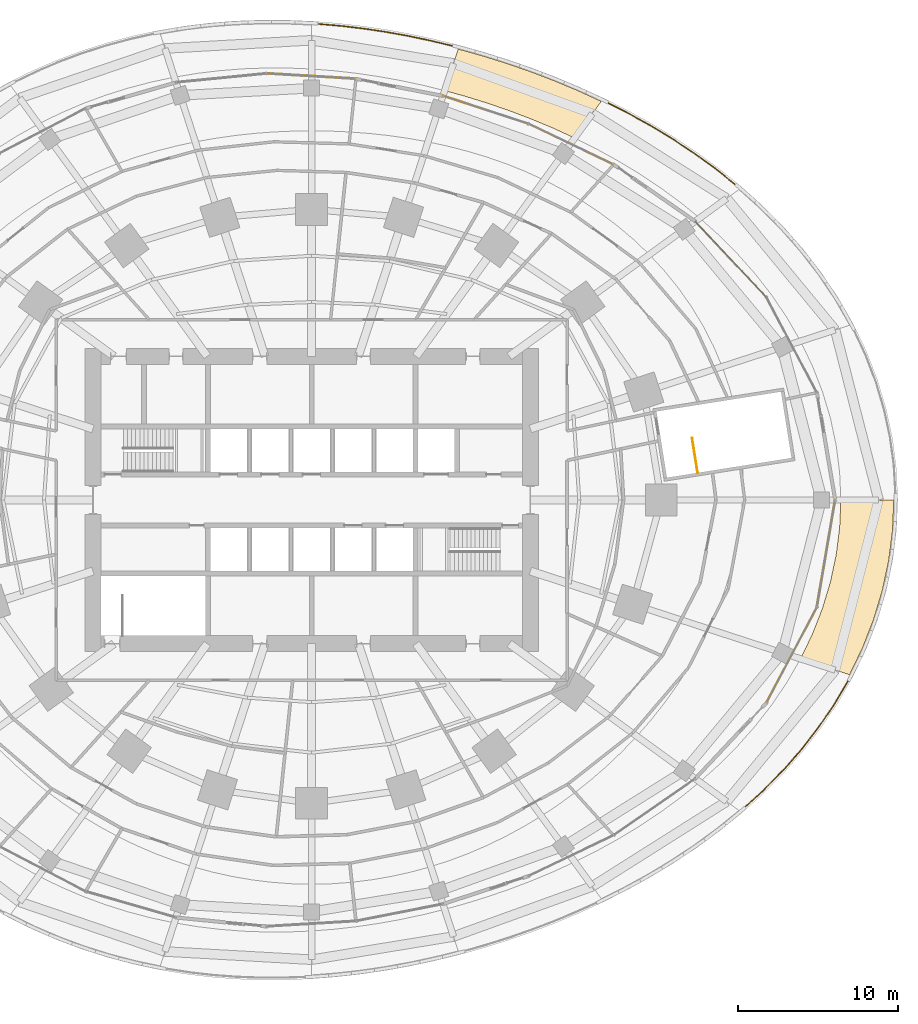
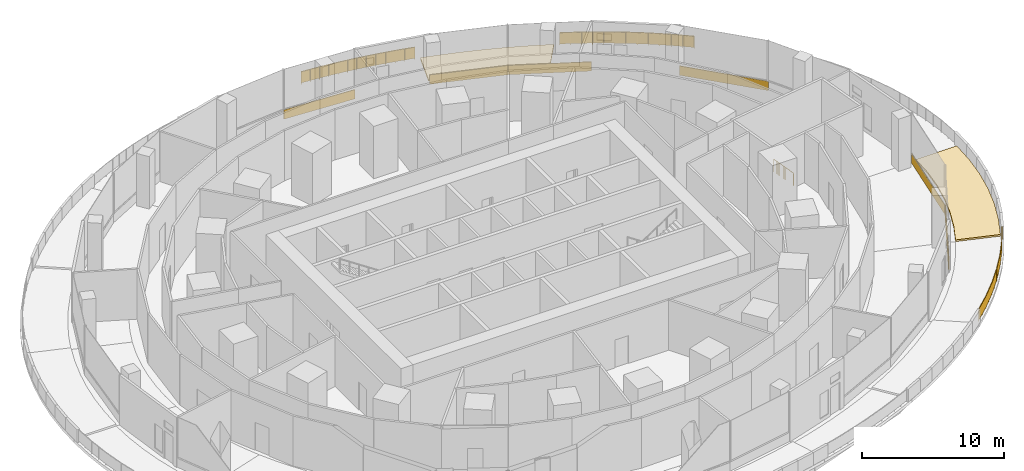
# One storey, part 25 of 26: 8 coverings, 4 railings.
"""IFC4 building model written with IfcOpenShell, lengths in metres."""

from ifc_helpers import new_model, si_unit, direction, frame, origin, origin_2d, place, context, subcontext, project, spatial, polyline, rectangle, circle, outline, extrude, material, layer, layer_set, type_object, element, save


model = new_model("IFC4")

# Units and contexts
model_context = context("Model", 3, precision=1e-05, world=origin(), true_north=direction((0.0, 1.0)))
body_context = subcontext(model_context, "Body", "Model", "MODEL_VIEW")
ifc_project = project(units=[si_unit("LENGTHUNIT", "METRE"), si_unit("AREAUNIT", "SQUARE_METRE"), si_unit("VOLUMEUNIT", "CUBIC_METRE"), si_unit("PLANEANGLEUNIT", "RADIAN"), si_unit("MASSUNIT", "GRAM", prefix="KILO")], contexts=[model_context])

# Site, building, storey
site_placement = place(None, origin())
site = spatial("IfcSite", under=ifc_project, at=site_placement, CompositionType="ELEMENT")
building_placement = place(site_placement, origin())
building = spatial("IfcBuilding", under=site, at=building_placement, Name="Marramba Exchange Tower", CompositionType="ELEMENT")
storey_placement = place(building_placement, frame((0.0, 0.0, 15.10009765625)))
storey = spatial("IfcBuildingStorey", under=building, at=storey_placement, Name="L03", CompositionType="ELEMENT", Elevation=15.10009765625)

# Coverings
ifc_material_1 = material(Name="Extensive green roof: growing medium on drainage cell, filter fabric and root-barrier membrane")
ifc_layer_1 = layer(ifc_material_1, 0.14990234375)
ifc_layer_set_1 = layer_set([ifc_layer_1], Name="Planted roof build-up 150")
covering_type_1 = type_object("IfcCoveringType", Name="Planted roof build-up 150", PredefinedType="ROOFING", material=ifc_layer_set_1)
covering_1_placement = place(storey_placement, origin())
element("IfcCovering", 1, at=covering_1_placement, inside=storey, type_object=covering_type_1, Name="Planted roof build-up L03 bay 04", PredefinedType="ROOFING", context=body_context, shape_type="SweptSolid", body=[
    extrude(outline(polyline([(16.47509765625, 22.676025390625), (15.126708984375, 23.29296875), (13.774169921875, 23.857666015625), (12.418701171875, 24.373046875), (11.06005859375, 24.841552734375), (9.698486328125, 25.26513671875), (8.332763671875, 25.645263671875), (9.17919921875, 28.2509765625), (9.17919921875, 28.2509765625), (10.683349609375, 27.8310546875), (12.182861328125, 27.363037109375), (13.678466796875, 26.845703125), (15.1708984375, 26.276611328125), (16.659423828125, 25.6533203125), (18.1435546875, 24.972412109375), (16.47509765625, 22.676025390625)])), origin(), (0.0, 0.0, 1.0), 0.14990234375),
])
covering_2_placement = place(storey_placement, origin())
element("IfcCovering", 2, at=covering_2_placement, inside=storey, type_object=covering_type_1, Name="Planted roof build-up L03 bay 20", PredefinedType="ROOFING", context=body_context, shape_type="SweptSolid", body=[
    extrude(outline(polyline([(30.623291015625, -9.9501953125), (31.368408203125, -8.405029296875), (31.9951171875, -6.80078125), (32.493896484375, -5.146484375), (32.856201171875, -3.453369140625), (33.076171875, -1.7333984375), (33.14990234375, 0.0), (36.469970703125, 0.0), (36.38916015625, -1.906982421875), (36.147705078125, -3.79931640625), (35.750244140625, -5.662353515625), (35.203125, -7.482666015625), (34.51513671875, -9.248291015625), (33.697265625, -10.948974609375), (30.623291015625, -9.9501953125)])), origin(), (0.0, 0.0, 1.0), 0.14990234375),
])
ifc_material_2 = material(Name="Aluminium spandrel panel, bronze anodised, insulated", Category="aluminium")
ifc_layer_2 = layer(ifc_material_2, 0.050048828125)
ifc_layer_set_2 = layer_set([ifc_layer_2], Name="Spandrel panel 800")
covering_type_2 = type_object("IfcCoveringType", Name="Spandrel panel 800", PredefinedType="CLADDING", material=ifc_layer_set_2)
covering_3_placement = place(storey_placement, frame((26.266357421875, 15.074462890625, 0.0), z_axis=(0.0, 0.0, 1.0), x_axis=(-0.684146740238, 0.729344389038, 0.0)))
element("IfcCovering", 3, at=covering_3_placement, inside=storey, type_object=covering_type_2, Name="Spandrel panel SP1 L03 F03", PredefinedType="CLADDING", context=body_context, shape_type="SweptSolid", body=[
    extrude(rectangle(XDim=6.5380859375, YDim=0.050048828125, at=origin_2d()), origin(), (0.0, 0.0, 1.0), 0.800048828125),
])
covering_4_placement = place(storey_placement, frame((16.258544921875, 22.282470703125, 0.0), z_axis=(0.0, 0.0, 1.0), x_axis=(-0.902119809396, 0.431485630695, 0.0)))
element("IfcCovering", 4, at=covering_4_placement, inside=storey, type_object=covering_type_2, Name="Spandrel panel SP1 L03 F05", PredefinedType="CLADDING", context=body_context, shape_type="SweptSolid", body=[
    extrude(rectangle(XDim=5.895751953125, YDim=0.050048828125, at=origin_2d()), origin(), (0.0, 0.0, 1.0), 0.800048828125),
])
covering_5_placement = place(storey_placement, frame((10.911865234375, 24.433349609375, 0.0), z_axis=(0.0, 0.0, 1.0), x_axis=(-0.950455124475, 0.310861796237, 0.0)))
element("IfcCovering", 5, at=covering_5_placement, inside=storey, type_object=covering_type_2, Name="Spandrel panel SP1 L03 F06", PredefinedType="CLADDING", context=body_context, shape_type="SweptSolid", body=[
    extrude(rectangle(XDim=5.65478515625, YDim=0.050048828125, at=origin_2d()), origin(), (0.0, 0.0, 1.0), 0.800048828125),
])
covering_6_placement = place(storey_placement, frame((-0.017578125, 26.549560546875, 0.0), z_axis=(0.0, 0.0, 1.0), x_axis=(-0.998230234091, 0.059467636125, 0.0)))
element("IfcCovering", 6, at=covering_6_placement, inside=storey, type_object=covering_type_2, Name="Spandrel panel SP1 L03 F08", PredefinedType="CLADDING", context=body_context, shape_type="SweptSolid", body=[
    extrude(rectangle(XDim=5.5908203125, YDim=0.050048828125, at=origin_2d()), origin(), (0.0, 0.0, 1.0), 0.800048828125),
])
covering_7_placement = place(storey_placement, frame((30.077880859375, -9.709228515625, 0.0), z_axis=(0.0, 0.0, 1.0), x_axis=(0.467131013616, 0.884188111274, 0.0)))
element("IfcCovering", 7, at=covering_7_placement, inside=storey, type_object=covering_type_2, Name="Spandrel panel SP1 L03 F29", PredefinedType="CLADDING", context=body_context, shape_type="SweptSolid", body=[
    extrude(rectangle(XDim=6.7431640625, YDim=0.050048828125, at=origin_2d()), origin(), (0.0, 0.0, 1.0), 0.800048828125),
])
covering_8_placement = place(storey_placement, frame((32.226318359375, -3.364013671875, 0.0), z_axis=(0.0, 0.0, 1.0), x_axis=(0.168073893541, 0.985774399297, 0.0)))
element("IfcCovering", 8, at=covering_8_placement, inside=storey, type_object=covering_type_2, Name="Spandrel panel SP1 L03 F30", PredefinedType="CLADDING", context=body_context, shape_type="SweptSolid", body=[
    extrude(rectangle(XDim=6.8251953125, YDim=0.050048828125, at=origin_2d()), origin(), (0.0, 0.0, 1.0), 0.800048828125),
])

# Railings
ifc_material_3 = material(Name="Stainless steel guard", Category="steel")
railing_type_1 = type_object("IfcRailingType", Name="Stair well guard 1100", PredefinedType="GUARDRAIL", material=ifc_material_3)
railing_1_placement = place(storey_placement, frame((24.18115234375, 1.703857421875, 0.0)))
element("IfcRailing", 9, at=railing_1_placement, inside=storey, type_object=railing_type_1, Name="Stair well guard GR2 ST4 L03", PredefinedType="GUARDRAIL", context=body_context, shape_type="SweptSolid", body=[
    extrude(circle(Radius=0.02392578125, at=origin_2d()), frame((0.0, 0.0, 1.076171875), z_axis=(-0.156475439167, 0.98768185006, 0.0), x_axis=(-0.98768185006, -0.156475439167, 0.0)), (0.0, 0.0, 1.0), 2.199951171875),
    extrude(circle(Radius=0.02099609375, at=origin_2d()), origin(), (0.0, 0.0, 1.0), 1.052001953125),
    extrude(circle(Radius=0.02099609375, at=origin_2d()), frame((-0.172119140625, 1.08642578125, 0.0)), (0.0, 0.0, 1.0), 1.052001953125),
    extrude(circle(Radius=0.02099609375, at=origin_2d()), frame((-0.34423828125, 2.1728515625, 0.0)), (0.0, 0.0, 1.0), 1.052001953125),
    extrude(circle(Radius=0.006103515625, at=origin_2d()), frame((-0.01904296875, 0.12060546875, 0.0)), (0.0, 0.0, 1.0), 1.052001953125),
    extrude(circle(Radius=0.006103515625, at=origin_2d()), frame((-0.035888671875, 0.22607421875, 0.0)), (0.0, 0.0, 1.0), 1.052001953125),
    extrude(circle(Radius=0.006103515625, at=origin_2d()), frame((-0.052490234375, 0.331787109375, 0.0)), (0.0, 0.0, 1.0), 1.052001953125),
    extrude(circle(Radius=0.006103515625, at=origin_2d()), frame((-0.0693359375, 0.4375, 0.0)), (0.0, 0.0, 1.0), 1.052001953125),
    extrude(circle(Radius=0.006103515625, at=origin_2d()), frame((-0.0859375, 0.543212890625, 0.0)), (0.0, 0.0, 1.0), 1.052001953125),
    extrude(circle(Radius=0.006103515625, at=origin_2d()), frame((-0.102783203125, 0.64892578125, 0.0)), (0.0, 0.0, 1.0), 1.052001953125),
    extrude(circle(Radius=0.006103515625, at=origin_2d()), frame((-0.11962890625, 0.754638671875, 0.0)), (0.0, 0.0, 1.0), 1.052001953125),
    extrude(circle(Radius=0.006103515625, at=origin_2d()), frame((-0.13623046875, 0.8603515625, 0.0)), (0.0, 0.0, 1.0), 1.052001953125),
    extrude(circle(Radius=0.006103515625, at=origin_2d()), frame((-0.153076171875, 0.9658203125, 0.0)), (0.0, 0.0, 1.0), 1.052001953125),
    extrude(circle(Radius=0.006103515625, at=origin_2d()), frame((-0.191162109375, 1.20703125, 0.0)), (0.0, 0.0, 1.0), 1.052001953125),
    extrude(circle(Radius=0.006103515625, at=origin_2d()), frame((-0.2080078125, 1.3125, 0.0)), (0.0, 0.0, 1.0), 1.052001953125),
    extrude(circle(Radius=0.006103515625, at=origin_2d()), frame((-0.224609375, 1.418212890625, 0.0)), (0.0, 0.0, 1.0), 1.052001953125),
    extrude(circle(Radius=0.006103515625, at=origin_2d()), frame((-0.241455078125, 1.52392578125, 0.0)), (0.0, 0.0, 1.0), 1.052001953125),
    extrude(circle(Radius=0.006103515625, at=origin_2d()), frame((-0.25830078125, 1.629638671875, 0.0)), (0.0, 0.0, 1.0), 1.052001953125),
    extrude(circle(Radius=0.006103515625, at=origin_2d()), frame((-0.27490234375, 1.7353515625, 0.0)), (0.0, 0.0, 1.0), 1.052001953125),
    extrude(circle(Radius=0.006103515625, at=origin_2d()), frame((-0.291748046875, 1.841064453125, 0.0)), (0.0, 0.0, 1.0), 1.052001953125),
    extrude(circle(Radius=0.006103515625, at=origin_2d()), frame((-0.308349609375, 1.94677734375, 0.0)), (0.0, 0.0, 1.0), 1.052001953125),
    extrude(circle(Radius=0.006103515625, at=origin_2d()), frame((-0.3251953125, 2.05224609375, 0.0)), (0.0, 0.0, 1.0), 1.052001953125),
])
ifc_material_4 = material(Name="Bronze anodised aluminium and laminated glass guard", Category="aluminium")
railing_type_2 = type_object("IfcRailingType", Name="Terrace guard 1100", PredefinedType="GUARDRAIL", material=ifc_material_4)
railing_2_placement = place(storey_placement, frame((26.533447265625, 19.7685546875, 0.0)))
element("IfcRailing", 10, at=railing_2_placement, inside=storey, type_object=railing_type_2, Name="Terrace guard GR1 L03 bay 03", PredefinedType="GUARDRAIL", context=body_context, shape_type="SweptSolid", body=[
    extrude(circle(Radius=0.02392578125, at=origin_2d()), frame((0.0, 0.0, 1.076171875), z_axis=(-0.782778379076, 0.622300577897, 0.0), x_axis=(-0.622300577897, -0.782778379076, 0.0)), (0.0, 0.0, 1.0), 1.630859375),
    extrude(circle(Radius=0.02392578125, at=origin_2d()), frame((-1.276611328125, 1.014892578125, 1.076171875), z_axis=(-0.809803067181, 0.586701791701, 0.0), x_axis=(-0.586701791701, -0.809803067181, 0.0)), (0.0, 0.0, 1.0), 1.61083984375),
    extrude(circle(Radius=0.02392578125, at=origin_2d()), frame((-2.5810546875, 1.9599609375, 1.076171875), z_axis=(-0.833581968191, 0.552395784113, 0.0), x_axis=(-0.552395784113, -0.833581968191, 0.0)), (0.0, 0.0, 1.0), 1.590576171875),
    extrude(circle(Radius=0.02392578125, at=origin_2d()), frame((-3.906982421875, 2.838623046875, 1.076171875), z_axis=(-0.854723469876, 0.519083606024, 0.0), x_axis=(-0.519083606024, -0.854723469876, 0.0)), (0.0, 0.0, 1.0), 1.5703125),
    extrude(circle(Radius=0.02392578125, at=origin_2d()), frame((-5.249267578125, 3.65380859375, 1.076171875), z_axis=(-0.873435986198, 0.486938987979, 0.0), x_axis=(-0.486938987979, -0.873435986198, 0.0)), (0.0, 0.0, 1.0), 1.55078125),
    extrude(circle(Radius=0.02392578125, at=origin_2d()), frame((-6.603759765625, 4.408935546875, 1.076171875), z_axis=(-0.889853973528, 0.456245444686, 0.0), x_axis=(-0.456245444686, -0.889853973528, 0.0)), (0.0, 0.0, 1.0), 1.531494140625),
    extrude(circle(Radius=0.02099609375, at=origin_2d()), origin(), (0.0, 0.0, 1.0), 1.052001953125),
    extrude(circle(Radius=0.02099609375, at=origin_2d()), frame((-0.63818359375, 0.50732421875, 0.0)), (0.0, 0.0, 1.0), 1.052001953125),
    extrude(circle(Radius=0.02099609375, at=origin_2d()), frame((-1.276611328125, 1.014892578125, 0.0)), (0.0, 0.0, 1.0), 1.052001953125),
    extrude(circle(Radius=0.02099609375, at=origin_2d()), frame((-1.9287109375, 1.4873046875, 0.0)), (0.0, 0.0, 1.0), 1.052001953125),
    extrude(circle(Radius=0.02099609375, at=origin_2d()), frame((-2.5810546875, 1.9599609375, 0.0)), (0.0, 0.0, 1.0), 1.052001953125),
    extrude(circle(Radius=0.02099609375, at=origin_2d()), frame((-3.244140625, 2.3994140625, 0.0)), (0.0, 0.0, 1.0), 1.052001953125),
    extrude(circle(Radius=0.02099609375, at=origin_2d()), frame((-3.906982421875, 2.838623046875, 0.0)), (0.0, 0.0, 1.0), 1.052001953125),
    extrude(circle(Radius=0.02099609375, at=origin_2d()), frame((-4.578125, 3.24609375, 0.0)), (0.0, 0.0, 1.0), 1.052001953125),
    extrude(circle(Radius=0.02099609375, at=origin_2d()), frame((-5.249267578125, 3.65380859375, 0.0)), (0.0, 0.0, 1.0), 1.052001953125),
    extrude(circle(Radius=0.02099609375, at=origin_2d()), frame((-5.926513671875, 4.03125, 0.0)), (0.0, 0.0, 1.0), 1.052001953125),
    extrude(circle(Radius=0.02099609375, at=origin_2d()), frame((-6.603759765625, 4.408935546875, 0.0)), (0.0, 0.0, 1.0), 1.052001953125),
    extrude(circle(Radius=0.02099609375, at=origin_2d()), frame((-7.28515625, 4.75830078125, 0.0)), (0.0, 0.0, 1.0), 1.052001953125),
    extrude(circle(Radius=0.02099609375, at=origin_2d()), frame((-7.966552734375, 5.107666015625, 0.0)), (0.0, 0.0, 1.0), 1.052001953125),
    extrude(rectangle(XDim=0.79736328125, YDim=0.02001953125, at=origin_2d()), frame((-0.319091796875, 0.253662109375, 0.10009765625), z_axis=(0.0, 0.0, 1.0), x_axis=(-0.782778379076, 0.622300577897, 0.0)), (0.0, 0.0, 1.0), 0.951904296875),
    extrude(rectangle(XDim=0.79736328125, YDim=0.02001953125, at=origin_2d()), frame((-0.95751953125, 0.76123046875, 0.10009765625), z_axis=(0.0, 0.0, 1.0), x_axis=(-0.782778379076, 0.622300577897, 0.0)), (0.0, 0.0, 1.0), 0.951904296875),
    extrude(rectangle(XDim=0.787353515625, YDim=0.02001953125, at=origin_2d()), frame((-1.602783203125, 1.251220703125, 0.10009765625), z_axis=(0.0, 0.0, 1.0), x_axis=(-0.809803067181, 0.586701791701, 0.0)), (0.0, 0.0, 1.0), 0.951904296875),
    extrude(rectangle(XDim=0.787353515625, YDim=0.02001953125, at=origin_2d()), frame((-2.2548828125, 1.7236328125, 0.10009765625), z_axis=(0.0, 0.0, 1.0), x_axis=(-0.809803067181, 0.586701791701, 0.0)), (0.0, 0.0, 1.0), 0.951904296875),
    extrude(rectangle(XDim=0.77734375, YDim=0.02001953125, at=origin_2d()), frame((-2.91259765625, 2.1796875, 0.10009765625), z_axis=(0.0, 0.0, 1.0), x_axis=(-0.833581968191, 0.552395784113, 0.0)), (0.0, 0.0, 1.0), 0.951904296875),
    extrude(rectangle(XDim=0.77734375, YDim=0.02001953125, at=origin_2d()), frame((-3.575439453125, 2.618896484375, 0.10009765625), z_axis=(0.0, 0.0, 1.0), x_axis=(-0.833581968191, 0.552395784113, 0.0)), (0.0, 0.0, 1.0), 0.951904296875),
    extrude(rectangle(XDim=0.767333984375, YDim=0.02001953125, at=origin_2d()), frame((-4.24267578125, 3.04248046875, 0.10009765625), z_axis=(0.0, 0.0, 1.0), x_axis=(-0.854723469876, 0.519083606024, 0.0)), (0.0, 0.0, 1.0), 0.951904296875),
    extrude(rectangle(XDim=0.767333984375, YDim=0.02001953125, at=origin_2d()), frame((-4.91357421875, 3.449951171875, 0.10009765625), z_axis=(0.0, 0.0, 1.0), x_axis=(-0.854723469876, 0.519083606024, 0.0)), (0.0, 0.0, 1.0), 0.951904296875),
    extrude(rectangle(XDim=0.75732421875, YDim=0.02001953125, at=origin_2d()), frame((-5.587890625, 3.842529296875, 0.10009765625), z_axis=(0.0, 0.0, 1.0), x_axis=(-0.873435986198, 0.486938987979, 0.0)), (0.0, 0.0, 1.0), 0.951904296875),
    extrude(rectangle(XDim=0.75732421875, YDim=0.02001953125, at=origin_2d()), frame((-6.26513671875, 4.22021484375, 0.10009765625), z_axis=(0.0, 0.0, 1.0), x_axis=(-0.873435986198, 0.486938987979, 0.0)), (0.0, 0.0, 1.0), 0.951904296875),
    extrude(rectangle(XDim=0.747802734375, YDim=0.02001953125, at=origin_2d()), frame((-6.9443359375, 4.58349609375, 0.10009765625), z_axis=(0.0, 0.0, 1.0), x_axis=(-0.889853973528, 0.456245444686, 0.0)), (0.0, 0.0, 1.0), 0.951904296875),
    extrude(rectangle(XDim=0.747802734375, YDim=0.02001953125, at=origin_2d()), frame((-7.6259765625, 4.93310546875, 0.10009765625), z_axis=(0.0, 0.0, 1.0), x_axis=(-0.889853973528, 0.456245444686, 0.0)), (0.0, 0.0, 1.0), 0.951904296875),
])
railing_3_placement = place(storey_placement, frame((8.824462890625, 28.446044921875, 0.0)))
element("IfcRailing", 11, at=railing_3_placement, inside=storey, type_object=railing_type_2, Name="Terrace guard GR1 L03 bay 05", PredefinedType="GUARDRAIL", context=body_context, shape_type="SweptSolid", body=[
    extrude(circle(Radius=0.02392578125, at=origin_2d()), frame((0.0, 0.0, 1.076171875), z_axis=(-0.972413704548, 0.233262914343, 0.0), x_axis=(-0.233262914343, -0.972413704548, 0.0)), (0.0, 0.0, 1.0), 1.426513671875),
    extrude(circle(Radius=0.02392578125, at=origin_2d()), frame((-1.38720703125, 0.332763671875, 1.076171875), z_axis=(-0.978600696873, 0.205768501182, 0.0), x_axis=(-0.205768501182, -0.978600696873, 0.0)), (0.0, 0.0, 1.0), 1.423828125),
    extrude(circle(Radius=0.02392578125, at=origin_2d()), frame((-2.780517578125, 0.625732421875, 1.076171875), z_axis=(-0.98415697928, 0.17729929536, 0.0), x_axis=(-0.17729929536, -0.98415697928, 0.0)), (0.0, 0.0, 1.0), 1.42236328125),
    extrude(circle(Radius=0.02392578125, at=origin_2d()), frame((-4.180419921875, 0.8779296875, 1.076171875), z_axis=(-0.989001701307, 0.147904140619, 0.0), x_axis=(-0.147904140619, -0.989001701307, 0.0)), (0.0, 0.0, 1.0), 1.4228515625),
    extrude(circle(Radius=0.02392578125, at=origin_2d()), frame((-5.587646484375, 1.08837890625, 1.076171875), z_axis=(-0.993093196073, 0.117328188912, 0.0), x_axis=(-0.117328188912, -0.993093196073, 0.0)), (0.0, 0.0, 1.0), 1.42529296875),
    extrude(circle(Radius=0.02392578125, at=origin_2d()), frame((-7.003173828125, 1.255615234375, 1.076171875), z_axis=(-0.996314593873, 0.085774297054, 0.0), x_axis=(-0.085774297054, -0.996314593873, 0.0)), (0.0, 0.0, 1.0), 1.428955078125),
    extrude(circle(Radius=0.02099609375, at=origin_2d()), origin(), (0.0, 0.0, 1.0), 1.052001953125),
    extrude(circle(Radius=0.02099609375, at=origin_2d()), frame((-0.693603515625, 0.16650390625, 0.0)), (0.0, 0.0, 1.0), 1.052001953125),
    extrude(circle(Radius=0.02099609375, at=origin_2d()), frame((-1.38720703125, 0.332763671875, 0.0)), (0.0, 0.0, 1.0), 1.052001953125),
    extrude(circle(Radius=0.02099609375, at=origin_2d()), frame((-2.083984375, 0.479248046875, 0.0)), (0.0, 0.0, 1.0), 1.052001953125),
    extrude(circle(Radius=0.02099609375, at=origin_2d()), frame((-2.780517578125, 0.625732421875, 0.0)), (0.0, 0.0, 1.0), 1.052001953125),
    extrude(circle(Radius=0.02099609375, at=origin_2d()), frame((-3.48046875, 0.751953125, 0.0)), (0.0, 0.0, 1.0), 1.052001953125),
    extrude(circle(Radius=0.02099609375, at=origin_2d()), frame((-4.180419921875, 0.8779296875, 0.0)), (0.0, 0.0, 1.0), 1.052001953125),
    extrude(circle(Radius=0.02099609375, at=origin_2d()), frame((-4.884033203125, 0.983154296875, 0.0)), (0.0, 0.0, 1.0), 1.052001953125),
    extrude(circle(Radius=0.02099609375, at=origin_2d()), frame((-5.587646484375, 1.08837890625, 0.0)), (0.0, 0.0, 1.0), 1.052001953125),
    extrude(circle(Radius=0.02099609375, at=origin_2d()), frame((-6.29541015625, 1.171875, 0.0)), (0.0, 0.0, 1.0), 1.052001953125),
    extrude(circle(Radius=0.02099609375, at=origin_2d()), frame((-7.003173828125, 1.255615234375, 0.0)), (0.0, 0.0, 1.0), 1.052001953125),
    extrude(circle(Radius=0.02099609375, at=origin_2d()), frame((-7.71484375, 1.31689453125, 0.0)), (0.0, 0.0, 1.0), 1.052001953125),
    extrude(circle(Radius=0.02099609375, at=origin_2d()), frame((-8.4267578125, 1.378173828125, 0.0)), (0.0, 0.0, 1.0), 1.052001953125),
    extrude(rectangle(XDim=0.6953125, YDim=0.02001953125, at=origin_2d()), frame((-0.3466796875, 0.083251953125, 0.10009765625), z_axis=(0.0, 0.0, 1.0), x_axis=(-0.972413704548, 0.233262914343, 0.0)), (0.0, 0.0, 1.0), 0.951904296875),
    extrude(rectangle(XDim=0.6953125, YDim=0.02001953125, at=origin_2d()), frame((-1.04052734375, 0.24951171875, 0.10009765625), z_axis=(0.0, 0.0, 1.0), x_axis=(-0.972413704548, 0.233262914343, 0.0)), (0.0, 0.0, 1.0), 0.951904296875),
    extrude(rectangle(XDim=0.69384765625, YDim=0.02001953125, at=origin_2d()), frame((-1.735595703125, 0.406005859375, 0.10009765625), z_axis=(0.0, 0.0, 1.0), x_axis=(-0.978600696873, 0.205768501182, 0.0)), (0.0, 0.0, 1.0), 0.951904296875),
    extrude(rectangle(XDim=0.69384765625, YDim=0.02001953125, at=origin_2d()), frame((-2.43212890625, 0.552490234375, 0.10009765625), z_axis=(0.0, 0.0, 1.0), x_axis=(-0.978600696873, 0.205768501182, 0.0)), (0.0, 0.0, 1.0), 0.951904296875),
    extrude(rectangle(XDim=0.693115234375, YDim=0.02001953125, at=origin_2d()), frame((-3.13037109375, 0.688720703125, 0.10009765625), z_axis=(0.0, 0.0, 1.0), x_axis=(-0.98415697928, 0.17729929536, 0.0)), (0.0, 0.0, 1.0), 0.951904296875),
    extrude(rectangle(XDim=0.693115234375, YDim=0.02001953125, at=origin_2d()), frame((-3.83056640625, 0.81494140625, 0.10009765625), z_axis=(0.0, 0.0, 1.0), x_axis=(-0.98415697928, 0.17729929536, 0.0)), (0.0, 0.0, 1.0), 0.951904296875),
    extrude(rectangle(XDim=0.693359375, YDim=0.02001953125, at=origin_2d()), frame((-4.5322265625, 0.9306640625, 0.10009765625), z_axis=(0.0, 0.0, 1.0), x_axis=(-0.989001701307, 0.147904140619, 0.0)), (0.0, 0.0, 1.0), 0.951904296875),
    extrude(rectangle(XDim=0.693359375, YDim=0.02001953125, at=origin_2d()), frame((-5.23583984375, 1.03564453125, 0.10009765625), z_axis=(0.0, 0.0, 1.0), x_axis=(-0.989001701307, 0.147904140619, 0.0)), (0.0, 0.0, 1.0), 0.951904296875),
    extrude(rectangle(XDim=0.694580078125, YDim=0.02001953125, at=origin_2d()), frame((-5.94140625, 1.130126953125, 0.10009765625), z_axis=(0.0, 0.0, 1.0), x_axis=(-0.993093196073, 0.117328188912, 0.0)), (0.0, 0.0, 1.0), 0.951904296875),
    extrude(rectangle(XDim=0.694580078125, YDim=0.02001953125, at=origin_2d()), frame((-6.6494140625, 1.2138671875, 0.10009765625), z_axis=(0.0, 0.0, 1.0), x_axis=(-0.993093196073, 0.117328188912, 0.0)), (0.0, 0.0, 1.0), 0.951904296875),
    extrude(rectangle(XDim=0.696533203125, YDim=0.02001953125, at=origin_2d()), frame((-7.359130859375, 1.2861328125, 0.10009765625), z_axis=(0.0, 0.0, 1.0), x_axis=(-0.996314593873, 0.085774297054, 0.0)), (0.0, 0.0, 1.0), 0.951904296875),
    extrude(rectangle(XDim=0.696533203125, YDim=0.02001953125, at=origin_2d()), frame((-8.07080078125, 1.34765625, 0.10009765625), z_axis=(0.0, 0.0, 1.0), x_axis=(-0.996314593873, 0.085774297054, 0.0)), (0.0, 0.0, 1.0), 0.951904296875),
])
railing_4_placement = place(storey_placement, frame((27.15625, -19.236572265625, 0.0)))
element("IfcRailing", 12, at=railing_4_placement, inside=storey, type_object=railing_type_2, Name="Terrace guard GR1 L03 bay 19", PredefinedType="GUARDRAIL", context=body_context, shape_type="SweptSolid", body=[
    extrude(circle(Radius=0.02392578125, at=origin_2d()), frame((0.0, 0.0, 1.076171875), z_axis=(0.735761864639, 0.677240340309, 0.0), x_axis=(-0.677240340309, 0.735761864639, 0.0)), (0.0, 0.0, 1.0), 1.668701171875),
    extrude(circle(Radius=0.02392578125, at=origin_2d()), frame((1.227783203125, 1.130126953125, 1.076171875), z_axis=(0.69931988333, 0.714808856114, 0.0), x_axis=(-0.714808856114, 0.69931988333, 0.0)), (0.0, 0.0, 1.0), 1.6865234375),
    extrude(circle(Radius=0.02392578125, at=origin_2d()), frame((2.4072265625, 2.335693359375, 1.076171875), z_axis=(0.65866700017, 0.752434570503, 0.0), x_axis=(-0.752434570503, 0.65866700017, 0.0)), (0.0, 0.0, 1.0), 1.702880859375),
    extrude(circle(Radius=0.02392578125, at=origin_2d()), frame((3.52880859375, 3.616943359375, 1.076171875), z_axis=(0.613625666153, 0.789597075627, 0.0), x_axis=(-0.789597075627, 0.613625666153, 0.0)), (0.0, 0.0, 1.0), 1.717529296875),
    extrude(circle(Radius=0.02392578125, at=origin_2d()), frame((4.582763671875, 4.97314453125, 1.076171875), z_axis=(0.563687031723, 0.825988456497, 0.0), x_axis=(-0.825988456497, 0.563687031723, 0.0)), (0.0, 0.0, 1.0), 1.730224609375),
    extrude(circle(Radius=0.02392578125, at=origin_2d()), frame((5.55810546875, 6.40234375, 1.076171875), z_axis=(0.509248840105, 0.860619322843, 0.0), x_axis=(-0.860619322843, 0.509248840105, 0.0)), (0.0, 0.0, 1.0), 1.7412109375),
    extrude(circle(Radius=0.02099609375, at=origin_2d()), origin(), (0.0, 0.0, 1.0), 1.052001953125),
    extrude(circle(Radius=0.02099609375, at=origin_2d()), frame((0.61376953125, 0.56494140625, 0.0)), (0.0, 0.0, 1.0), 1.052001953125),
    extrude(circle(Radius=0.02099609375, at=origin_2d()), frame((1.227783203125, 1.130126953125, 0.0)), (0.0, 0.0, 1.0), 1.052001953125),
    extrude(circle(Radius=0.02099609375, at=origin_2d()), frame((1.8173828125, 1.73291015625, 0.0)), (0.0, 0.0, 1.0), 1.052001953125),
    extrude(circle(Radius=0.02099609375, at=origin_2d()), frame((2.4072265625, 2.335693359375, 0.0)), (0.0, 0.0, 1.0), 1.052001953125),
    extrude(circle(Radius=0.02099609375, at=origin_2d()), frame((2.968017578125, 2.976318359375, 0.0)), (0.0, 0.0, 1.0), 1.052001953125),
    extrude(circle(Radius=0.02099609375, at=origin_2d()), frame((3.52880859375, 3.616943359375, 0.0)), (0.0, 0.0, 1.0), 1.052001953125),
    extrude(circle(Radius=0.02099609375, at=origin_2d()), frame((4.0556640625, 4.294921875, 0.0)), (0.0, 0.0, 1.0), 1.052001953125),
    extrude(circle(Radius=0.02099609375, at=origin_2d()), frame((4.582763671875, 4.97314453125, 0.0)), (0.0, 0.0, 1.0), 1.052001953125),
    extrude(circle(Radius=0.02099609375, at=origin_2d()), frame((5.0703125, 5.687744140625, 0.0)), (0.0, 0.0, 1.0), 1.052001953125),
    extrude(circle(Radius=0.02099609375, at=origin_2d()), frame((5.55810546875, 6.40234375, 0.0)), (0.0, 0.0, 1.0), 1.052001953125),
    extrude(circle(Radius=0.02099609375, at=origin_2d()), frame((6.00146484375, 7.151611328125, 0.0)), (0.0, 0.0, 1.0), 1.052001953125),
    extrude(circle(Radius=0.02099609375, at=origin_2d()), frame((6.44482421875, 7.90087890625, 0.0)), (0.0, 0.0, 1.0), 1.052001953125),
    extrude(rectangle(XDim=0.81640625, YDim=0.02001953125, at=origin_2d()), frame((0.306884765625, 0.282470703125, 0.10009765625), z_axis=(0.0, 0.0, 1.0), x_axis=(0.735761864639, 0.677240340309, 0.0)), (0.0, 0.0, 1.0), 0.951904296875),
    extrude(rectangle(XDim=0.81640625, YDim=0.02001953125, at=origin_2d()), frame((0.9208984375, 0.84765625, 0.10009765625), z_axis=(0.0, 0.0, 1.0), x_axis=(0.735761864639, 0.677240340309, 0.0)), (0.0, 0.0, 1.0), 0.951904296875),
    extrude(rectangle(XDim=0.8251953125, YDim=0.02001953125, at=origin_2d()), frame((1.522705078125, 1.431640625, 0.10009765625), z_axis=(0.0, 0.0, 1.0), x_axis=(0.69931988333, 0.714808856114, 0.0)), (0.0, 0.0, 1.0), 0.951904296875),
    extrude(rectangle(XDim=0.8251953125, YDim=0.02001953125, at=origin_2d()), frame((2.1123046875, 2.0341796875, 0.10009765625), z_axis=(0.0, 0.0, 1.0), x_axis=(0.69931988333, 0.714808856114, 0.0)), (0.0, 0.0, 1.0), 0.951904296875),
    extrude(rectangle(XDim=0.83349609375, YDim=0.02001953125, at=origin_2d()), frame((2.6875, 2.656005859375, 0.10009765625), z_axis=(0.0, 0.0, 1.0), x_axis=(0.65866700017, 0.752434570503, 0.0)), (0.0, 0.0, 1.0), 0.951904296875),
    extrude(rectangle(XDim=0.83349609375, YDim=0.02001953125, at=origin_2d()), frame((3.24853515625, 3.296630859375, 0.10009765625), z_axis=(0.0, 0.0, 1.0), x_axis=(0.65866700017, 0.752434570503, 0.0)), (0.0, 0.0, 1.0), 0.951904296875),
    extrude(rectangle(XDim=0.8408203125, YDim=0.02001953125, at=origin_2d()), frame((3.792236328125, 3.9560546875, 0.10009765625), z_axis=(0.0, 0.0, 1.0), x_axis=(0.613625666153, 0.789597075627, 0.0)), (0.0, 0.0, 1.0), 0.951904296875),
    extrude(rectangle(XDim=0.8408203125, YDim=0.02001953125, at=origin_2d()), frame((4.3193359375, 4.634033203125, 0.10009765625), z_axis=(0.0, 0.0, 1.0), x_axis=(0.613625666153, 0.789597075627, 0.0)), (0.0, 0.0, 1.0), 0.951904296875),
    extrude(rectangle(XDim=0.84716796875, YDim=0.02001953125, at=origin_2d()), frame((4.82666015625, 5.33056640625, 0.10009765625), z_axis=(0.0, 0.0, 1.0), x_axis=(0.563687031723, 0.825988456497, 0.0)), (0.0, 0.0, 1.0), 0.951904296875),
    extrude(rectangle(XDim=0.84716796875, YDim=0.02001953125, at=origin_2d()), frame((5.314208984375, 6.044921875, 0.10009765625), z_axis=(0.0, 0.0, 1.0), x_axis=(0.563687031723, 0.825988456497, 0.0)), (0.0, 0.0, 1.0), 0.951904296875),
    extrude(rectangle(XDim=0.8525390625, YDim=0.02001953125, at=origin_2d()), frame((5.77978515625, 6.77685546875, 0.10009765625), z_axis=(0.0, 0.0, 1.0), x_axis=(0.509248840105, 0.860619322843, 0.0)), (0.0, 0.0, 1.0), 0.951904296875),
    extrude(rectangle(XDim=0.8525390625, YDim=0.02001953125, at=origin_2d()), frame((6.22314453125, 7.5263671875, 0.10009765625), z_axis=(0.0, 0.0, 1.0), x_axis=(0.509248840105, 0.860619322843, 0.0)), (0.0, 0.0, 1.0), 0.951904296875),
])

save(model, "model.ifc")
